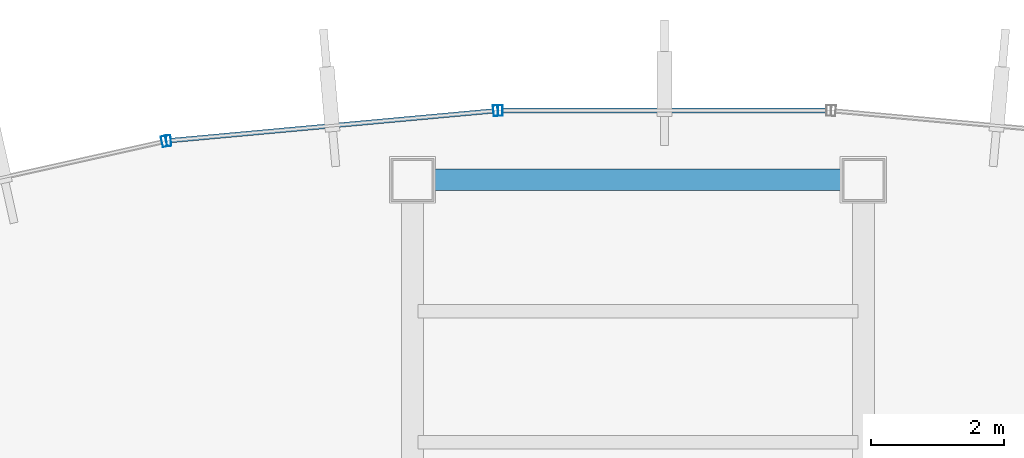
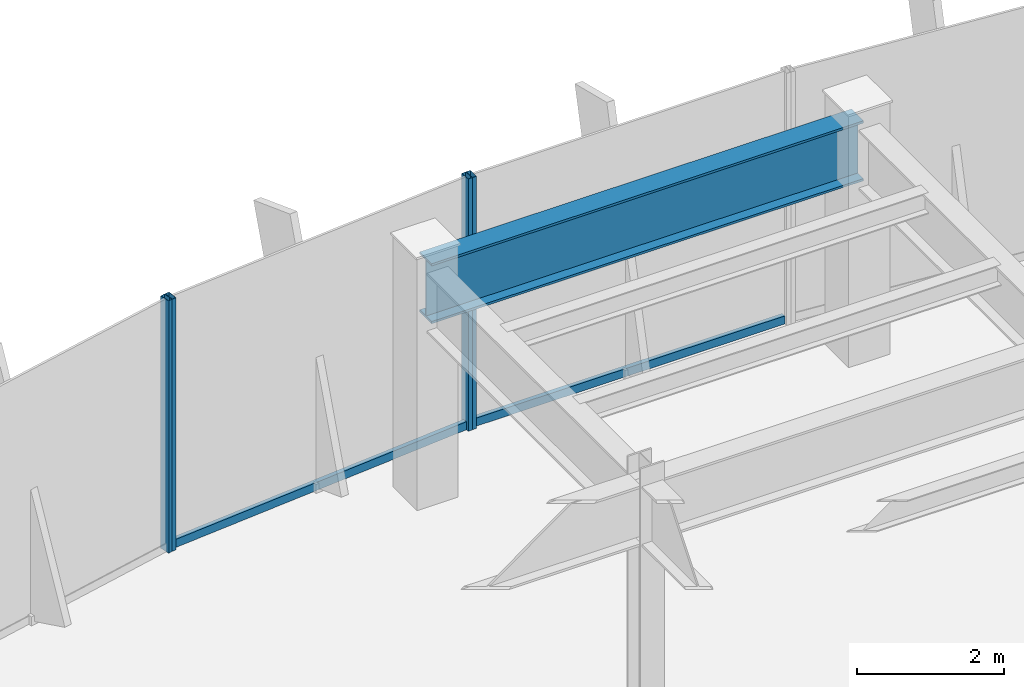
# One storey, part 12 of 26: 6 members, 1 beam, 3 elements without a shape of their own.
"""IFC4 building model written with IfcOpenShell, lengths in metres."""

from ifc_helpers import new_model, si_unit, derived_unit, direction, frame, origin, origin_2d, place, context, subcontext, project, spatial, hollow_rectangle, i_section, extrude, source, transform, mapped, material, material_profile, profile_set, type_object, element, aggregate, save


model = new_model("IFC4")

# Units and contexts
model_context = context("Model", 3, precision=1e-05, world=origin(), true_north=direction((0.0, 1.0)))
body_context = subcontext(model_context, "Body", "Model", "MODEL_VIEW")
ifc_project = project(units=[si_unit("LENGTHUNIT", "METRE"), si_unit("AREAUNIT", "SQUARE_METRE"), si_unit("VOLUMEUNIT", "CUBIC_METRE"), si_unit("PLANEANGLEUNIT", "RADIAN"), si_unit("MASSUNIT", "GRAM", prefix="KILO"), derived_unit("THERMALTRANSMITTANCEUNIT", [(si_unit("POWERUNIT", "WATT"), 1), (si_unit("LENGTHUNIT", "METRE"), -2), (si_unit("THERMODYNAMICTEMPERATUREUNIT", "KELVIN"), -1)])], contexts=[model_context])

# Site, building, storey
site_placement = place(None, origin())
site = spatial("IfcSite", under=ifc_project, at=site_placement, CompositionType="ELEMENT")
building_placement = place(site_placement, origin())
building = spatial("IfcBuilding", under=site, at=building_placement, Name="Skarnbrae Concourse Arena and Tower", CompositionType="ELEMENT")
storey_placement = place(building_placement, frame((0.0, 0.0, 184.39990234375)))
storey = spatial("IfcBuildingStorey", under=building, at=storey_placement, Name="L47", CompositionType="ELEMENT", Elevation=184.39990234375)

# Beam
ifc_material_1 = material(Name="Steel CSA G40.21 350W", Category="steel")
ifc_material_profile_1 = material_profile(ifc_material_1, i_section(OverallWidth=0.327880859375, OverallDepth=1.0, WebThickness=0.02099609375, FlangeThickness=0.03759765625, at=origin_2d()), Name="W1000X371")
ifc_profile_set_1 = profile_set([ifc_material_profile_1], Name="Steel CSA G40.21 350W")
beam_type = type_object("IfcBeamType", Name="BM-XFER-W1000X371", PredefinedType="BEAM", material=ifc_profile_set_1)
shared_shape_1 = source(origin(), body_context, "Body", "SweptSolid", [
    extrude(i_section(OverallWidth=0.327880859375, OverallDepth=1.0, WebThickness=0.02099609375, FlangeThickness=0.03759765625, at=origin_2d()), origin(), (0.0, 0.0, 1.0), 6.800048828125),
])
beam_placement = place(storey_placement, frame((21.199951171875, 40.39990234375, 3.400146484375), z_axis=(1.0, 0.0, 0.0), x_axis=(0.0, 1.0, 0.0)))
element("IfcBeam", 1, at=beam_placement, inside=storey, type_object=beam_type, Name="L47 Perimeter spandrel Y40.4-1", PredefinedType="BEAM", context=body_context, shape_type="MappedRepresentation", body=[
    mapped(shared_shape_1, transform((0.0, 0.0, 0.0))),
])

# Curtain wall, member
ifc_material_2 = material(Name="Bronze anodised aluminium 6063-T6", Category="aluminium")
curtain_wall_type = type_object("IfcCurtainWallType", Name="CW-SYS-06-SKYLOBBY", PredefinedType="USERDEFINED", material=ifc_material_2)
curtain_wall_1_placement = place(storey_placement, origin())
curtain_wall_1 = element("IfcCurtainWall", 2, at=curtain_wall_1_placement, inside=storey, type_object=curtain_wall_type, Name="L47 Unitised curtain wall CW-L47-E11", ObjectType="UNITISED CURTAIN WALL", PredefinedType="USERDEFINED")
ifc_material_profile_2 = material_profile(ifc_material_2, hollow_rectangle(XDim=0.070068359375, YDim=0.1650390625, WallThickness=0.00390625, at=origin_2d()), Name="ALU-MULL-70X165")
ifc_profile_set_2 = profile_set([ifc_material_profile_2], Name="Bronze anodised aluminium 6063-T6")
member_type_1 = type_object("IfcMemberType", Name="CWM-CW-06", PredefinedType="MULLION", material=ifc_profile_set_2)
shared_shape_2 = source(origin(), body_context, "Body", "SweptSolid", [
    extrude(hollow_rectangle(XDim=0.070068359375, YDim=0.1650390625, WallThickness=0.00390625, at=origin_2d()), origin(), (0.0, 0.0, 1.0), 4.2001953125),
])
member_1_placement = place(storey_placement, frame((22.523681640625, 41.445556640625, 0.0), z_axis=(0.0, 0.0, 1.0), x_axis=(-1.0, 0.0, 0.0)))
member_1 = element("IfcMember", 3, at=member_1_placement, type_object=member_type_1, Name="CW-L47-E11 Mullion 2", PredefinedType="MULLION", context=body_context, shape_type="MappedRepresentation", body=[
    mapped(shared_shape_2, transform((0.0, 0.0, 0.0))),
])

# Curtain wall, members
curtain_wall_2_placement = place(storey_placement, origin())
curtain_wall_2 = element("IfcCurtainWall", 4, at=curtain_wall_2_placement, inside=storey, type_object=curtain_wall_type, Name="L47 Unitised curtain wall CW-L47-E12", ObjectType="UNITISED CURTAIN WALL", PredefinedType="USERDEFINED")
member_2_placement = place(storey_placement, frame((22.453857421875, 41.4423828125, 0.0), z_axis=(0.0, 0.0, 1.0), x_axis=(-0.995819926016, -0.091338244731, 0.0)))
member_2 = element("IfcMember", 5, at=member_2_placement, type_object=member_type_1, Name="CW-L47-E12 Mullion 1", PredefinedType="MULLION", context=body_context, shape_type="MappedRepresentation", body=[
    mapped(shared_shape_2, transform((0.0, 0.0, 0.0))),
])
member_3_placement = place(storey_placement, frame((17.522705078125, 40.989990234375, 0.0), z_axis=(0.0, 0.0, 1.0), x_axis=(-0.995819926016, -0.091338244731, 0.0)))
member_3 = element("IfcMember", 6, at=member_3_placement, type_object=member_type_1, Name="CW-L47-E12 Mullion 2", PredefinedType="MULLION", context=body_context, shape_type="MappedRepresentation", body=[
    mapped(shared_shape_2, transform((0.0, 0.0, 0.0))),
])

# Curtain wall, member
curtain_wall_3_placement = place(storey_placement, origin())
curtain_wall_3 = element("IfcCurtainWall", 7, at=curtain_wall_3_placement, inside=storey, type_object=curtain_wall_type, Name="L47 Unitised curtain wall CW-L47-E13", ObjectType="UNITISED CURTAIN WALL", PredefinedType="USERDEFINED")
member_4_placement = place(storey_placement, frame((17.45361328125, 40.979248046875, 0.0), z_axis=(0.0, 0.0, 1.0), x_axis=(-0.975936175393, -0.218056372433, 0.0)))
member_4 = element("IfcMember", 8, at=member_4_placement, type_object=member_type_1, Name="CW-L47-E13 Mullion 1", PredefinedType="MULLION", context=body_context, shape_type="MappedRepresentation", body=[
    mapped(shared_shape_2, transform((0.0, 0.0, 0.0))),
])
aggregate(curtain_wall_3, [member_4])

# Member
ifc_material_profile_3 = material_profile(ifc_material_2, hollow_rectangle(XDim=0.070068359375, YDim=0.135009765625, WallThickness=0.00390625, at=origin_2d()), Name="ALU-TRAN-70X135")
ifc_profile_set_3 = profile_set([ifc_material_profile_3], Name="Bronze anodised aluminium 6063-T6")
member_type_2 = type_object("IfcMemberType", Name="CWT-CW-06", PredefinedType="USERDEFINED", material=ifc_profile_set_3)
shared_shape_3 = source(origin(), body_context, "Body", "SweptSolid", [
    extrude(hollow_rectangle(XDim=0.070068359375, YDim=0.135009765625, WallThickness=0.00390625, at=origin_2d()), origin(), (0.0, 0.0, 1.0), 4.882080078125),
])
member_5_placement = place(storey_placement, frame((22.4189453125, 41.439208984375, 0.067626953125), z_axis=(-0.995821987085, -0.091315771025, 0.0), x_axis=(0.091315771025, -0.995821987085, 0.0)))
member_5 = element("IfcMember", 9, at=member_5_placement, type_object=member_type_2, Name="CW-L47-E12 Transom 1", ObjectType="TRANSOM", PredefinedType="USERDEFINED", context=body_context, shape_type="MappedRepresentation", body=[
    mapped(shared_shape_3, transform((0.0, 0.0, 0.0))),
])

aggregate(curtain_wall_2, [member_2, member_3, member_5])

shared_shape_4 = source(origin(), body_context, "Body", "SweptSolid", [
    extrude(hollow_rectangle(XDim=0.070068359375, YDim=0.135009765625, WallThickness=0.00390625, at=origin_2d()), origin(), (0.0, 0.0, 1.0), 4.8828125),
])
member_6_placement = place(storey_placement, frame((27.44140625, 41.445556640625, 0.067626953125), z_axis=(-1.0, 0.0, 0.0), x_axis=(0.0, -1.0, 0.0)))
member_6 = element("IfcMember", 10, at=member_6_placement, type_object=member_type_2, Name="CW-L47-E11 Transom 1", ObjectType="TRANSOM", PredefinedType="USERDEFINED", context=body_context, shape_type="MappedRepresentation", body=[
    mapped(shared_shape_4, transform((0.0, 0.0, 0.0))),
])

aggregate(curtain_wall_1, [member_1, member_6])

save(model, "model.ifc")
